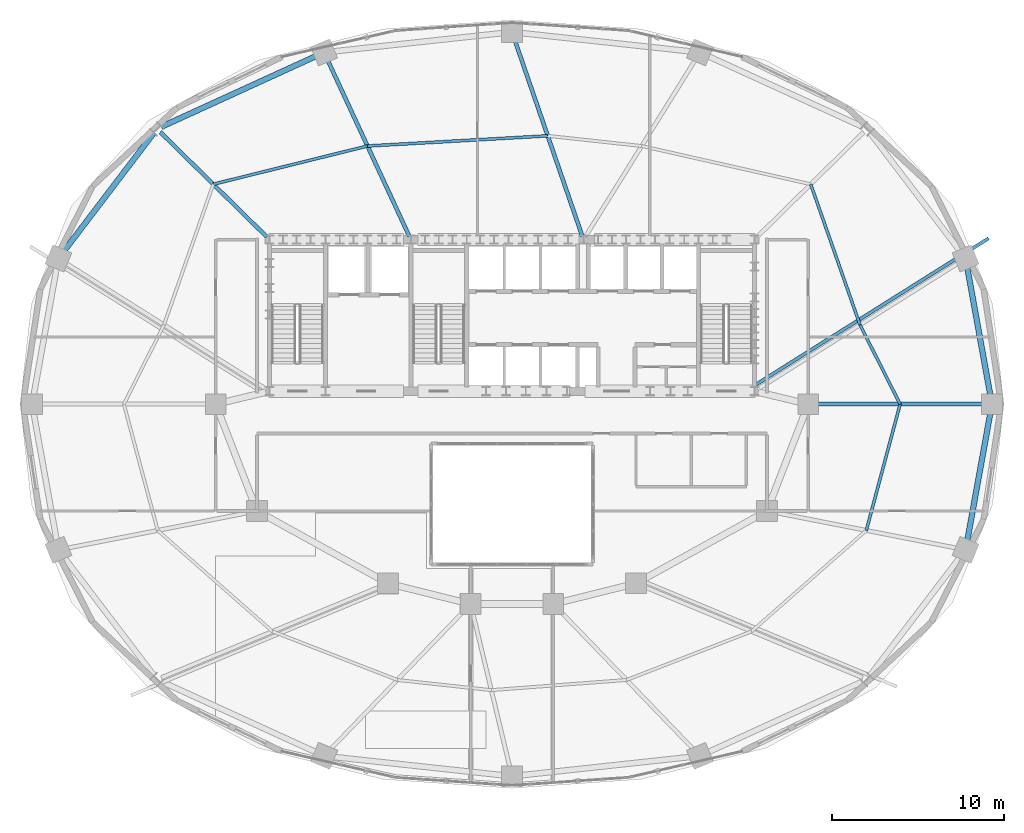
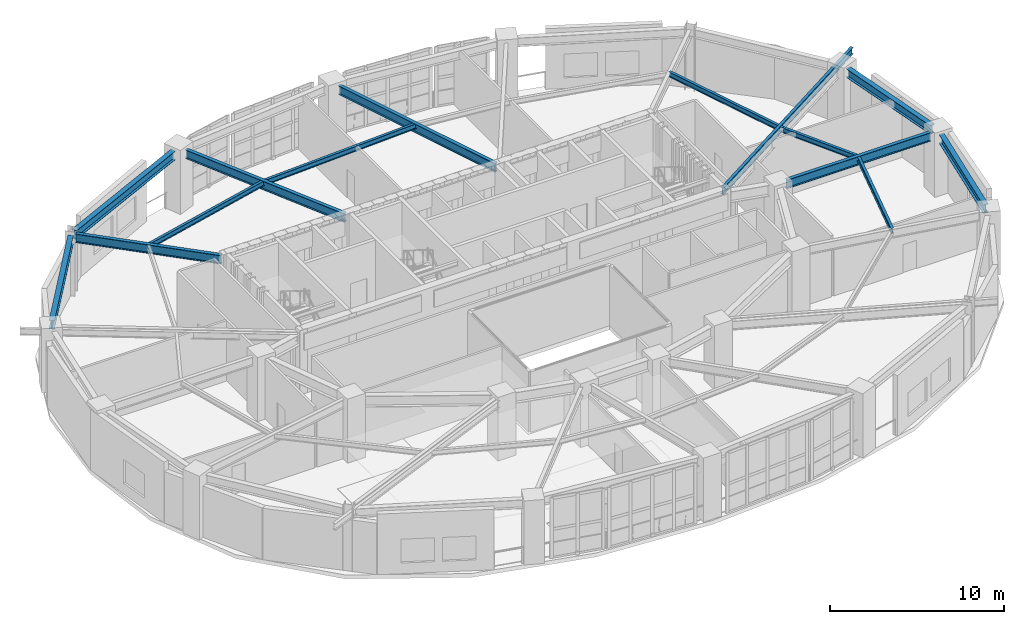
# One storey, part 6 of 15: 14 beams.
"""IFC4 building model written with IfcOpenShell, lengths in metres."""

from ifc_helpers import new_model, si_unit, direction, frame, origin, origin_2d, place, context, subcontext, project, spatial, i_section, extrude, material, material_profile, profile_set, type_object, element, save


model = new_model("IFC4")

# Units and contexts
model_context = context("Model", 3, precision=1e-05, world=origin(), true_north=direction((0.0, 1.0)))
body_context = subcontext(model_context, "Body", "Model", "MODEL_VIEW")
ifc_project = project(units=[si_unit("LENGTHUNIT", "METRE"), si_unit("AREAUNIT", "SQUARE_METRE"), si_unit("VOLUMEUNIT", "CUBIC_METRE"), si_unit("PLANEANGLEUNIT", "RADIAN"), si_unit("MASSUNIT", "GRAM", prefix="KILO")], contexts=[model_context])

# Site, building, storey
site_placement = place(None, origin())
site = spatial("IfcSite", under=ifc_project, at=site_placement, CompositionType="ELEMENT")
building_placement = place(site_placement, origin())
building = spatial("IfcBuilding", under=site, at=building_placement, Name="Haldorwick Loom Tower", CompositionType="ELEMENT")
storey_placement = place(building_placement, frame((0.0, 0.0, 105.949951171875)))
storey = spatial("IfcBuildingStorey", under=building, at=storey_placement, Name="L28", CompositionType="ELEMENT", Elevation=105.949951171875)

# Beams
ifc_material = material(Name="Steel CSA G40.21 350W", Category="steel")
ifc_material_profile_1 = material_profile(ifc_material, i_section(OverallWidth=0.193115234375, OverallDepth=0.466064453125, WebThickness=0.011474609375, FlangeThickness=0.01904296875, at=origin_2d()), Name="W460X97", Category="steel")
ifc_profile_set_1 = profile_set([ifc_material_profile_1], Name="Steel CSA G40.21 350W")
beam_type_1 = type_object("IfcBeamType", Name="STR-BM-BAL460", PredefinedType="BEAM", material=ifc_profile_set_1)
beam_1_placement = place(storey_placement, frame((50.111572265625, 27.106689453125, 4.027099609375), z_axis=(0.846609845451, 0.532214026108, 0.0), x_axis=(-0.532214026108, 0.846609845451, 0.0)))
element("IfcBeam", 1, at=beam_1_placement, inside=storey, type_object=beam_type_1, Name="L28 Continuous Back-Spanned Balcony Beam 4", PredefinedType="BEAM", context=body_context, shape_type="SweptSolid", body=[
    extrude(i_section(OverallWidth=0.193115234375, OverallDepth=0.466064453125, WebThickness=0.011474609375, FlangeThickness=0.01904296875, at=origin_2d()), origin(), (0.0, 0.0, 1.0), 16.0068359375),
])
ifc_material_profile_2 = material_profile(ifc_material, i_section(OverallWidth=0.172119140625, OverallDepth=0.35791015625, WebThickness=0.0078125, FlangeThickness=0.01318359375, at=origin_2d()), Name="W360X57", Category="steel")
ifc_profile_set_2 = profile_set([ifc_material_profile_2], Name="Steel CSA G40.21 350W")
beam_type_2 = type_object("IfcBeamType", Name="STR-BM-J360", PredefinedType="JOIST", material=ifc_profile_set_2)
beam_2_placement = place(storey_placement, frame((58.52880859375, 26.0, 4.0810546875), z_axis=(-0.451373231558, 0.892335254169, 0.0), x_axis=(-0.892335254169, -0.451373231558, 0.0)))
element("IfcBeam", 2, at=beam_2_placement, inside=storey, type_object=beam_type_2, Name="L28 Mid-Bay Secondary Joist 1", PredefinedType="JOIST", context=body_context, shape_type="SweptSolid", body=[
    extrude(i_section(OverallWidth=0.172119140625, OverallDepth=0.35791015625, WebThickness=0.0078125, FlangeThickness=0.01318359375, at=origin_2d()), origin(), (0.0, 0.0, 1.0), 5.158935546875),
])
beam_3_placement = place(storey_placement, frame((56.2001953125, 30.603515625, 4.0810546875), z_axis=(-0.330864603503, 0.943678236556, 0.0), x_axis=(-0.943678236556, -0.330864603503, 0.0)))
element("IfcBeam", 3, at=beam_3_placement, inside=storey, type_object=beam_type_2, Name="L28 Mid-Bay Secondary Joist 2", PredefinedType="JOIST", context=body_context, shape_type="SweptSolid", body=[
    extrude(i_section(OverallWidth=0.172119140625, OverallDepth=0.35791015625, WebThickness=0.0078125, FlangeThickness=0.01318359375, at=origin_2d()), origin(), (0.0, 0.0, 1.0), 8.6494140625),
])
beam_4_placement = place(storey_placement, frame((38.074951171875, 41.57421875, 4.0810546875), z_axis=(-0.998412171013, -0.056330602457, 0.0), x_axis=(0.056330602457, -0.998412171013, 0.0)))
element("IfcBeam", 4, at=beam_4_placement, inside=storey, type_object=beam_type_2, Name="L28 Mid-Bay Secondary Joist 5", PredefinedType="JOIST", context=body_context, shape_type="SweptSolid", body=[
    extrude(i_section(OverallWidth=0.172119140625, OverallDepth=0.35791015625, WebThickness=0.0078125, FlangeThickness=0.01318359375, at=origin_2d()), origin(), (0.0, 0.0, 1.0), 10.479736328125),
])
beam_5_placement = place(storey_placement, frame((27.61181640625, 40.98388671875, 4.0810546875), z_axis=(-0.970638838364, -0.240541567009, 0.0), x_axis=(0.240541567009, -0.970638838364, 0.0)))
element("IfcBeam", 5, at=beam_5_placement, inside=storey, type_object=beam_type_2, Name="L28 Mid-Bay Secondary Joist 6", PredefinedType="JOIST", context=body_context, shape_type="SweptSolid", body=[
    extrude(i_section(OverallWidth=0.172119140625, OverallDepth=0.35791015625, WebThickness=0.0078125, FlangeThickness=0.01318359375, at=origin_2d()), origin(), (0.0, 0.0, 1.0), 9.220947265625),
])
beam_6_placement = place(storey_placement, frame((56.565185546875, 18.67138671875, 4.0810546875), z_axis=(0.258810072536, 0.965928230436, 0.0), x_axis=(-0.965928230436, 0.258810072536, 0.0)))
element("IfcBeam", 6, at=beam_6_placement, inside=storey, type_object=beam_type_2, Name="L28 Mid-Bay Secondary Joist 16", PredefinedType="JOIST", context=body_context, shape_type="SweptSolid", body=[
    extrude(i_section(OverallWidth=0.172119140625, OverallDepth=0.35791015625, WebThickness=0.0078125, FlangeThickness=0.01318359375, at=origin_2d()), origin(), (0.0, 0.0, 1.0), 7.587158203125),
])
ifc_material_profile_3 = material_profile(ifc_material, i_section(OverallWidth=0.324951171875, OverallDepth=0.615966796875, WebThickness=0.013916015625, FlangeThickness=0.021484375, at=origin_2d()), Name="W610X174", Category="steel")
ifc_profile_set_3 = profile_set([ifc_material_profile_3], Name="Steel CSA G40.21 350W")
beam_type_3 = type_object("IfcBeamType", Name="STR-BM-SP610", PredefinedType="SPANDREL", material=ifc_profile_set_3)
beam_7_placement = place(storey_placement, frame((63.76513671875, 26.51171875, 3.9521484375), z_axis=(-0.177659490888, 0.984092020747, 0.0), x_axis=(-0.984092020747, -0.177659490888, 0.0)))
element("IfcBeam", 7, at=beam_7_placement, inside=storey, type_object=beam_type_3, Name="L28 Perimeter Spandrel 1", PredefinedType="SPANDREL", context=body_context, shape_type="SweptSolid", body=[
    extrude(i_section(OverallWidth=0.324951171875, OverallDepth=0.615966796875, WebThickness=0.013916015625, FlangeThickness=0.021484375, at=origin_2d()), origin(), (0.0, 0.0, 1.0), 7.553955078125),
])
beam_8_placement = place(storey_placement, frame((24.62060546875, 46.201416015625, 3.9521484375), z_axis=(-0.909423969306, -0.415870225011, 0.0), x_axis=(0.415870225011, -0.909423969306, 0.0)))
element("IfcBeam", 8, at=beam_8_placement, inside=storey, type_object=beam_type_3, Name="L28 Perimeter Spandrel 6", PredefinedType="SPANDREL", context=body_context, shape_type="SweptSolid", body=[
    extrude(i_section(OverallWidth=0.324951171875, OverallDepth=0.615966796875, WebThickness=0.013916015625, FlangeThickness=0.021484375, at=origin_2d()), origin(), (0.0, 0.0, 1.0), 9.871337890625),
])
beam_9_placement = place(storey_placement, frame((15.226806640625, 41.7626953125, 3.9521484375), z_axis=(-0.605453508047, -0.795880675475, 0.0), x_axis=(0.795880675475, -0.605453508047, 0.0)))
element("IfcBeam", 9, at=beam_9_placement, inside=storey, type_object=beam_type_3, Name="L28 Perimeter Spandrel 7", PredefinedType="SPANDREL", context=body_context, shape_type="SweptSolid", body=[
    extrude(i_section(OverallWidth=0.324951171875, OverallDepth=0.615966796875, WebThickness=0.013916015625, FlangeThickness=0.021484375, at=origin_2d()), origin(), (0.0, 0.0, 1.0), 8.6591796875),
])
beam_10_placement = place(storey_placement, frame((62.423095703125, 18.054443359375, 3.9521484375), z_axis=(0.177659490888, 0.984092020747, 0.0), x_axis=(-0.984092020747, 0.177659490888, 0.0)))
element("IfcBeam", 10, at=beam_10_placement, inside=storey, type_object=beam_type_3, Name="L28 Perimeter Spandrel 16", PredefinedType="SPANDREL", context=body_context, shape_type="SweptSolid", body=[
    extrude(i_section(OverallWidth=0.324951171875, OverallDepth=0.615966796875, WebThickness=0.013916015625, FlangeThickness=0.021484375, at=origin_2d()), origin(), (0.0, 0.0, 1.0), 7.553955078125),
])
ifc_material_profile_4 = material_profile(ifc_material, i_section(OverallWidth=0.22998046875, OverallDepth=0.616943359375, WebThickness=0.01318359375, FlangeThickness=0.022216796875, at=origin_2d()), Name="W610X140", Category="steel")
ifc_profile_set_4 = profile_set([ifc_material_profile_4], Name="Steel CSA G40.21 350W")
beam_type_4 = type_object("IfcBeamType", Name="STR-BM-W610B", PredefinedType="BEAM", material=ifc_profile_set_4)
beam_11_placement = place(storey_placement, frame((53.719970703125, 26.0, 3.95166015625), z_axis=(1.0, 0.0, 0.0), x_axis=(0.0, 1.0, 0.0)))
element("IfcBeam", 11, at=beam_11_placement, inside=storey, type_object=beam_type_4, Name="L28 Radial Floor Girder 1", PredefinedType="BEAM", context=body_context, shape_type="SweptSolid", body=[
    extrude(i_section(OverallWidth=0.22998046875, OverallDepth=0.616943359375, WebThickness=0.01318359375, FlangeThickness=0.022216796875, at=origin_2d()), origin(), (0.0, 0.0, 1.0), 9.61767578125),
])
beam_12_placement = place(storey_placement, frame((40.07666015625, 35.7626953125, 3.95166015625), z_axis=(-0.325673980289, 0.945482130218, 0.0), x_axis=(-0.945482130218, -0.325673980289, 0.0)))
element("IfcBeam", 12, at=beam_12_placement, inside=storey, type_object=beam_type_4, Name="L28 Radial Floor Girder 5", PredefinedType="BEAM", context=body_context, shape_type="SweptSolid", body=[
    extrude(i_section(OverallWidth=0.22998046875, OverallDepth=0.616943359375, WebThickness=0.01318359375, FlangeThickness=0.022216796875, at=origin_2d()), origin(), (0.0, 0.0, 1.0), 11.998046875),
])
beam_13_placement = place(storey_placement, frame((30.035400390625, 35.754150390625, 3.95166015625), z_axis=(-0.420492432459, 0.907296045536, 0.0), x_axis=(-0.907296045536, -0.420492432459, 0.0)))
element("IfcBeam", 13, at=beam_13_placement, inside=storey, type_object=beam_type_4, Name="L28 Radial Floor Girder 6", PredefinedType="BEAM", context=body_context, shape_type="SweptSolid", body=[
    extrude(i_section(OverallWidth=0.22998046875, OverallDepth=0.616943359375, WebThickness=0.01318359375, FlangeThickness=0.022216796875, at=origin_2d()), origin(), (0.0, 0.0, 1.0), 11.23291015625),
])
beam_14_placement = place(storey_placement, frame((21.76953125, 35.707763671875, 3.95166015625), z_axis=(-0.712813667541, 0.701353459653, 0.0), x_axis=(-0.701353459653, -0.712813667541, 0.0)))
element("IfcBeam", 14, at=beam_14_placement, inside=storey, type_object=beam_type_4, Name="L28 Radial Floor Girder 7", PredefinedType="BEAM", context=body_context, shape_type="SweptSolid", body=[
    extrude(i_section(OverallWidth=0.22998046875, OverallDepth=0.616943359375, WebThickness=0.01318359375, FlangeThickness=0.022216796875, at=origin_2d()), origin(), (0.0, 0.0, 1.0), 8.67041015625),
])

save(model, "model.ifc")
